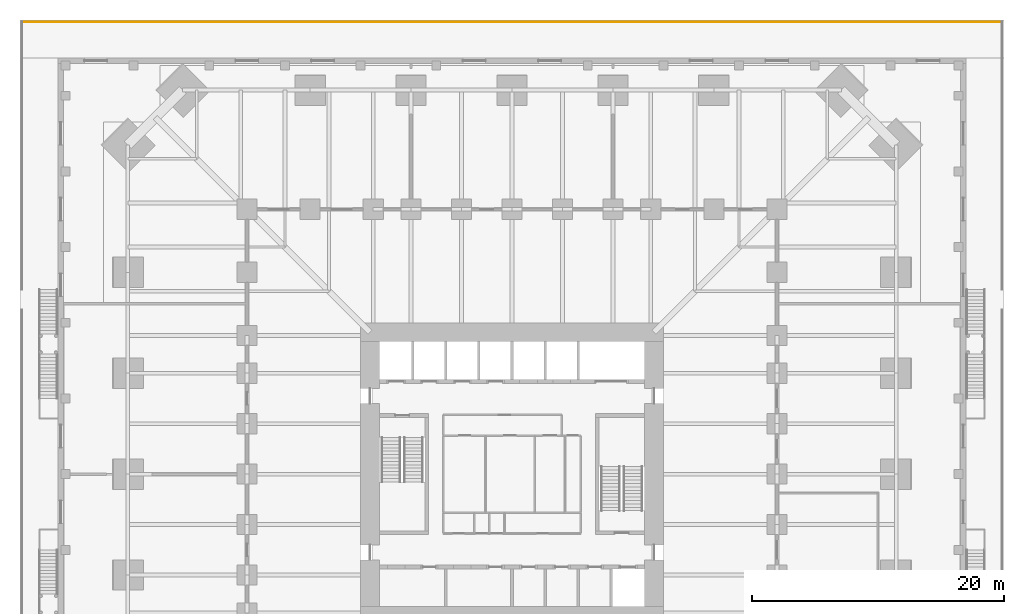
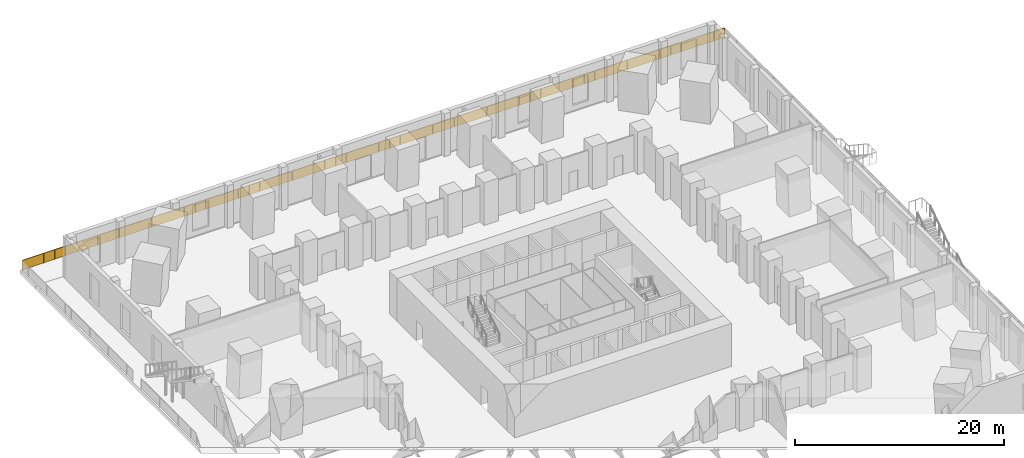
# One storey, part 20 of 20: 1 railing.
"""IFC4 building model written with IfcOpenShell, lengths in metres."""

from ifc_helpers import new_model, si_unit, direction, frame, origin, origin_2d, place, context, subcontext, project, spatial, rectangle, circle, extrude, material, type_object, element, save


model = new_model("IFC4")

# Units and contexts
model_context = context("Model", 3, precision=1e-05, world=origin(), true_north=direction((0.0, 1.0)))
body_context = subcontext(model_context, "Body", "Model", "MODEL_VIEW")
ifc_project = project(units=[si_unit("LENGTHUNIT", "METRE"), si_unit("AREAUNIT", "SQUARE_METRE"), si_unit("VOLUMEUNIT", "CUBIC_METRE"), si_unit("PLANEANGLEUNIT", "RADIAN"), si_unit("MASSUNIT", "GRAM", prefix="KILO")], contexts=[model_context])

# Site, building, storey
site_placement = place(None, origin())
site = spatial("IfcSite", under=ifc_project, at=site_placement, CompositionType="ELEMENT")
building_placement = place(site_placement, origin())
building = spatial("IfcBuilding", under=site, at=building_placement, Name="Peilmerk Tower", CompositionType="ELEMENT")
storey_placement = place(building_placement, frame((0.0, 0.0, 11.0)))
storey = spatial("IfcBuildingStorey", under=building, at=storey_placement, Name="L02", CompositionType="ELEMENT", Elevation=11.0)

# Railing
ifc_material = material(Name="Galvanised steel posts and top rail, laminated glass infill 16", Category="steel")
railing_type = type_object("IfcRailingType", Name="GR2 1200 terrace balustrade", PredefinedType="BALUSTRADE", material=ifc_material)
railing_placement = place(storey_placement, frame((38.85009765625, 35.85009765625, 0.0)))
element("IfcRailing", 1, at=railing_placement, inside=storey, type_object=railing_type, Name="Terrace balustrade L02", PredefinedType="BALUSTRADE", context=body_context, shape_type="SweptSolid", body=[
    extrude(circle(Radius=0.02392578125, at=origin_2d()), frame((0.0, 0.0, 1.17578125), z_axis=(-1.0, 0.0, 0.0), x_axis=(0.0, -1.0, 0.0)), (0.0, 0.0, 1.0), 77.7001953125),
    extrude(circle(Radius=0.02099609375, at=origin_2d()), origin(), (0.0, 0.0, 1.0), 1.15185546875),
    extrude(circle(Radius=0.02099609375, at=origin_2d()), frame((-1.1953125, 0.0, 0.0)), (0.0, 0.0, 1.0), 1.15185546875),
    extrude(circle(Radius=0.02099609375, at=origin_2d()), frame((-2.390869140625, 0.0, 0.0)), (0.0, 0.0, 1.0), 1.15185546875),
    extrude(circle(Radius=0.02099609375, at=origin_2d()), frame((-3.586181640625, 0.0, 0.0)), (0.0, 0.0, 1.0), 1.15185546875),
    extrude(circle(Radius=0.02099609375, at=origin_2d()), frame((-4.781494140625, 0.0, 0.0)), (0.0, 0.0, 1.0), 1.15185546875),
    extrude(circle(Radius=0.02099609375, at=origin_2d()), frame((-5.97705078125, 0.0, 0.0)), (0.0, 0.0, 1.0), 1.15185546875),
    extrude(circle(Radius=0.02099609375, at=origin_2d()), frame((-7.17236328125, 0.0, 0.0)), (0.0, 0.0, 1.0), 1.15185546875),
    extrude(circle(Radius=0.02099609375, at=origin_2d()), frame((-8.36767578125, 0.0, 0.0)), (0.0, 0.0, 1.0), 1.15185546875),
    extrude(circle(Radius=0.02099609375, at=origin_2d()), frame((-9.56298828125, 0.0, 0.0)), (0.0, 0.0, 1.0), 1.15185546875),
    extrude(circle(Radius=0.02099609375, at=origin_2d()), frame((-10.758544921875, 0.0, 0.0)), (0.0, 0.0, 1.0), 1.15185546875),
    extrude(circle(Radius=0.02099609375, at=origin_2d()), frame((-11.953857421875, 0.0, 0.0)), (0.0, 0.0, 1.0), 1.15185546875),
    extrude(circle(Radius=0.02099609375, at=origin_2d()), frame((-13.149169921875, 0.0, 0.0)), (0.0, 0.0, 1.0), 1.15185546875),
    extrude(circle(Radius=0.02099609375, at=origin_2d()), frame((-14.3447265625, 0.0, 0.0)), (0.0, 0.0, 1.0), 1.15185546875),
    extrude(circle(Radius=0.02099609375, at=origin_2d()), frame((-15.5400390625, 0.0, 0.0)), (0.0, 0.0, 1.0), 1.15185546875),
    extrude(circle(Radius=0.02099609375, at=origin_2d()), frame((-16.7353515625, 0.0, 0.0)), (0.0, 0.0, 1.0), 1.15185546875),
    extrude(circle(Radius=0.02099609375, at=origin_2d()), frame((-17.930908203125, 0.0, 0.0)), (0.0, 0.0, 1.0), 1.15185546875),
    extrude(circle(Radius=0.02099609375, at=origin_2d()), frame((-19.126220703125, 0.0, 0.0)), (0.0, 0.0, 1.0), 1.15185546875),
    extrude(circle(Radius=0.02099609375, at=origin_2d()), frame((-20.321533203125, 0.0, 0.0)), (0.0, 0.0, 1.0), 1.15185546875),
    extrude(circle(Radius=0.02099609375, at=origin_2d()), frame((-21.51708984375, 0.0, 0.0)), (0.0, 0.0, 1.0), 1.15185546875),
    extrude(circle(Radius=0.02099609375, at=origin_2d()), frame((-22.71240234375, 0.0, 0.0)), (0.0, 0.0, 1.0), 1.15185546875),
    extrude(circle(Radius=0.02099609375, at=origin_2d()), frame((-23.90771484375, 0.0, 0.0)), (0.0, 0.0, 1.0), 1.15185546875),
    extrude(circle(Radius=0.02099609375, at=origin_2d()), frame((-25.10302734375, 0.0, 0.0)), (0.0, 0.0, 1.0), 1.15185546875),
    extrude(circle(Radius=0.02099609375, at=origin_2d()), frame((-26.298583984375, 0.0, 0.0)), (0.0, 0.0, 1.0), 1.15185546875),
    extrude(circle(Radius=0.02099609375, at=origin_2d()), frame((-27.493896484375, 0.0, 0.0)), (0.0, 0.0, 1.0), 1.15185546875),
    extrude(circle(Radius=0.02099609375, at=origin_2d()), frame((-28.689208984375, 0.0, 0.0)), (0.0, 0.0, 1.0), 1.15185546875),
    extrude(circle(Radius=0.02099609375, at=origin_2d()), frame((-29.884765625, 0.0, 0.0)), (0.0, 0.0, 1.0), 1.15185546875),
    extrude(circle(Radius=0.02099609375, at=origin_2d()), frame((-31.080078125, 0.0, 0.0)), (0.0, 0.0, 1.0), 1.15185546875),
    extrude(circle(Radius=0.02099609375, at=origin_2d()), frame((-32.275390625, 0.0, 0.0)), (0.0, 0.0, 1.0), 1.15185546875),
    extrude(circle(Radius=0.02099609375, at=origin_2d()), frame((-33.470947265625, 0.0, 0.0)), (0.0, 0.0, 1.0), 1.15185546875),
    extrude(circle(Radius=0.02099609375, at=origin_2d()), frame((-34.666259765625, 0.0, 0.0)), (0.0, 0.0, 1.0), 1.15185546875),
    extrude(circle(Radius=0.02099609375, at=origin_2d()), frame((-35.861572265625, 0.0, 0.0)), (0.0, 0.0, 1.0), 1.15185546875),
    extrude(circle(Radius=0.02099609375, at=origin_2d()), frame((-37.05712890625, 0.0, 0.0)), (0.0, 0.0, 1.0), 1.15185546875),
    extrude(circle(Radius=0.02099609375, at=origin_2d()), frame((-38.25244140625, 0.0, 0.0)), (0.0, 0.0, 1.0), 1.15185546875),
    extrude(circle(Radius=0.02099609375, at=origin_2d()), frame((-39.44775390625, 0.0, 0.0)), (0.0, 0.0, 1.0), 1.15185546875),
    extrude(circle(Radius=0.02099609375, at=origin_2d()), frame((-40.64306640625, 0.0, 0.0)), (0.0, 0.0, 1.0), 1.15185546875),
    extrude(circle(Radius=0.02099609375, at=origin_2d()), frame((-41.838623046875, 0.0, 0.0)), (0.0, 0.0, 1.0), 1.15185546875),
    extrude(circle(Radius=0.02099609375, at=origin_2d()), frame((-43.033935546875, 0.0, 0.0)), (0.0, 0.0, 1.0), 1.15185546875),
    extrude(circle(Radius=0.02099609375, at=origin_2d()), frame((-44.229248046875, 0.0, 0.0)), (0.0, 0.0, 1.0), 1.15185546875),
    extrude(circle(Radius=0.02099609375, at=origin_2d()), frame((-45.4248046875, 0.0, 0.0)), (0.0, 0.0, 1.0), 1.15185546875),
    extrude(circle(Radius=0.02099609375, at=origin_2d()), frame((-46.6201171875, 0.0, 0.0)), (0.0, 0.0, 1.0), 1.15185546875),
    extrude(circle(Radius=0.02099609375, at=origin_2d()), frame((-47.8154296875, 0.0, 0.0)), (0.0, 0.0, 1.0), 1.15185546875),
    extrude(circle(Radius=0.02099609375, at=origin_2d()), frame((-49.010986328125, 0.0, 0.0)), (0.0, 0.0, 1.0), 1.15185546875),
    extrude(circle(Radius=0.02099609375, at=origin_2d()), frame((-50.206298828125, 0.0, 0.0)), (0.0, 0.0, 1.0), 1.15185546875),
    extrude(circle(Radius=0.02099609375, at=origin_2d()), frame((-51.401611328125, 0.0, 0.0)), (0.0, 0.0, 1.0), 1.15185546875),
    extrude(circle(Radius=0.02099609375, at=origin_2d()), frame((-52.59716796875, 0.0, 0.0)), (0.0, 0.0, 1.0), 1.15185546875),
    extrude(circle(Radius=0.02099609375, at=origin_2d()), frame((-53.79248046875, 0.0, 0.0)), (0.0, 0.0, 1.0), 1.15185546875),
    extrude(circle(Radius=0.02099609375, at=origin_2d()), frame((-54.98779296875, 0.0, 0.0)), (0.0, 0.0, 1.0), 1.15185546875),
    extrude(circle(Radius=0.02099609375, at=origin_2d()), frame((-56.18310546875, 0.0, 0.0)), (0.0, 0.0, 1.0), 1.15185546875),
    extrude(circle(Radius=0.02099609375, at=origin_2d()), frame((-57.378662109375, 0.0, 0.0)), (0.0, 0.0, 1.0), 1.15185546875),
    extrude(circle(Radius=0.02099609375, at=origin_2d()), frame((-58.573974609375, 0.0, 0.0)), (0.0, 0.0, 1.0), 1.15185546875),
    extrude(circle(Radius=0.02099609375, at=origin_2d()), frame((-59.769287109375, 0.0, 0.0)), (0.0, 0.0, 1.0), 1.15185546875),
    extrude(circle(Radius=0.02099609375, at=origin_2d()), frame((-60.96484375, 0.0, 0.0)), (0.0, 0.0, 1.0), 1.15185546875),
    extrude(circle(Radius=0.02099609375, at=origin_2d()), frame((-62.16015625, 0.0, 0.0)), (0.0, 0.0, 1.0), 1.15185546875),
    extrude(circle(Radius=0.02099609375, at=origin_2d()), frame((-63.35546875, 0.0, 0.0)), (0.0, 0.0, 1.0), 1.15185546875),
    extrude(circle(Radius=0.02099609375, at=origin_2d()), frame((-64.551025390625, 0.0, 0.0)), (0.0, 0.0, 1.0), 1.15185546875),
    extrude(circle(Radius=0.02099609375, at=origin_2d()), frame((-65.746337890625, 0.0, 0.0)), (0.0, 0.0, 1.0), 1.15185546875),
    extrude(circle(Radius=0.02099609375, at=origin_2d()), frame((-66.941650390625, 0.0, 0.0)), (0.0, 0.0, 1.0), 1.15185546875),
    extrude(circle(Radius=0.02099609375, at=origin_2d()), frame((-68.13720703125, 0.0, 0.0)), (0.0, 0.0, 1.0), 1.15185546875),
    extrude(circle(Radius=0.02099609375, at=origin_2d()), frame((-69.33251953125, 0.0, 0.0)), (0.0, 0.0, 1.0), 1.15185546875),
    extrude(circle(Radius=0.02099609375, at=origin_2d()), frame((-70.52783203125, 0.0, 0.0)), (0.0, 0.0, 1.0), 1.15185546875),
    extrude(circle(Radius=0.02099609375, at=origin_2d()), frame((-71.72314453125, 0.0, 0.0)), (0.0, 0.0, 1.0), 1.15185546875),
    extrude(circle(Radius=0.02099609375, at=origin_2d()), frame((-72.918701171875, 0.0, 0.0)), (0.0, 0.0, 1.0), 1.15185546875),
    extrude(circle(Radius=0.02099609375, at=origin_2d()), frame((-74.114013671875, 0.0, 0.0)), (0.0, 0.0, 1.0), 1.15185546875),
    extrude(circle(Radius=0.02099609375, at=origin_2d()), frame((-75.309326171875, 0.0, 0.0)), (0.0, 0.0, 1.0), 1.15185546875),
    extrude(circle(Radius=0.02099609375, at=origin_2d()), frame((-76.5048828125, 0.0, 0.0)), (0.0, 0.0, 1.0), 1.15185546875),
    extrude(circle(Radius=0.02099609375, at=origin_2d()), frame((-77.7001953125, 0.0, 0.0)), (0.0, 0.0, 1.0), 1.15185546875),
    extrude(rectangle(XDim=1.1533203125, YDim=0.01611328125, at=origin_2d()), frame((-0.59765625, 0.0, 0.050048828125), z_axis=(0.0, 0.0, 1.0), x_axis=(-1.0, 0.0, 0.0)), (0.0, 0.0, 1.0), 1.101806640625),
    extrude(rectangle(XDim=1.1533203125, YDim=0.01611328125, at=origin_2d()), frame((-1.79296875, 0.0, 0.050048828125), z_axis=(0.0, 0.0, 1.0), x_axis=(-1.0, 0.0, 0.0)), (0.0, 0.0, 1.0), 1.101806640625),
    extrude(rectangle(XDim=1.1533203125, YDim=0.01611328125, at=origin_2d()), frame((-2.988525390625, 0.0, 0.050048828125), z_axis=(0.0, 0.0, 1.0), x_axis=(-1.0, 0.0, 0.0)), (0.0, 0.0, 1.0), 1.101806640625),
    extrude(rectangle(XDim=1.1533203125, YDim=0.01611328125, at=origin_2d()), frame((-4.183837890625, 0.0, 0.050048828125), z_axis=(0.0, 0.0, 1.0), x_axis=(-1.0, 0.0, 0.0)), (0.0, 0.0, 1.0), 1.101806640625),
    extrude(rectangle(XDim=1.1533203125, YDim=0.01611328125, at=origin_2d()), frame((-5.379150390625, 0.0, 0.050048828125), z_axis=(0.0, 0.0, 1.0), x_axis=(-1.0, 0.0, 0.0)), (0.0, 0.0, 1.0), 1.101806640625),
    extrude(rectangle(XDim=1.1533203125, YDim=0.01611328125, at=origin_2d()), frame((-6.57470703125, 0.0, 0.050048828125), z_axis=(0.0, 0.0, 1.0), x_axis=(-1.0, 0.0, 0.0)), (0.0, 0.0, 1.0), 1.101806640625),
    extrude(rectangle(XDim=1.1533203125, YDim=0.01611328125, at=origin_2d()), frame((-7.77001953125, 0.0, 0.050048828125), z_axis=(0.0, 0.0, 1.0), x_axis=(-1.0, 0.0, 0.0)), (0.0, 0.0, 1.0), 1.101806640625),
    extrude(rectangle(XDim=1.1533203125, YDim=0.01611328125, at=origin_2d()), frame((-8.96533203125, 0.0, 0.050048828125), z_axis=(0.0, 0.0, 1.0), x_axis=(-1.0, 0.0, 0.0)), (0.0, 0.0, 1.0), 1.101806640625),
    extrude(rectangle(XDim=1.1533203125, YDim=0.01611328125, at=origin_2d()), frame((-10.160888671875, 0.0, 0.050048828125), z_axis=(0.0, 0.0, 1.0), x_axis=(-1.0, 0.0, 0.0)), (0.0, 0.0, 1.0), 1.101806640625),
    extrude(rectangle(XDim=1.1533203125, YDim=0.01611328125, at=origin_2d()), frame((-11.356201171875, 0.0, 0.050048828125), z_axis=(0.0, 0.0, 1.0), x_axis=(-1.0, 0.0, 0.0)), (0.0, 0.0, 1.0), 1.101806640625),
    extrude(rectangle(XDim=1.1533203125, YDim=0.01611328125, at=origin_2d()), frame((-12.551513671875, 0.0, 0.050048828125), z_axis=(0.0, 0.0, 1.0), x_axis=(-1.0, 0.0, 0.0)), (0.0, 0.0, 1.0), 1.101806640625),
    extrude(rectangle(XDim=1.1533203125, YDim=0.01611328125, at=origin_2d()), frame((-13.7470703125, 0.0, 0.050048828125), z_axis=(0.0, 0.0, 1.0), x_axis=(-1.0, 0.0, 0.0)), (0.0, 0.0, 1.0), 1.101806640625),
    extrude(rectangle(XDim=1.1533203125, YDim=0.01611328125, at=origin_2d()), frame((-14.9423828125, 0.0, 0.050048828125), z_axis=(0.0, 0.0, 1.0), x_axis=(-1.0, 0.0, 0.0)), (0.0, 0.0, 1.0), 1.101806640625),
    extrude(rectangle(XDim=1.1533203125, YDim=0.01611328125, at=origin_2d()), frame((-16.1376953125, 0.0, 0.050048828125), z_axis=(0.0, 0.0, 1.0), x_axis=(-1.0, 0.0, 0.0)), (0.0, 0.0, 1.0), 1.101806640625),
    extrude(rectangle(XDim=1.1533203125, YDim=0.01611328125, at=origin_2d()), frame((-17.3330078125, 0.0, 0.050048828125), z_axis=(0.0, 0.0, 1.0), x_axis=(-1.0, 0.0, 0.0)), (0.0, 0.0, 1.0), 1.101806640625),
    extrude(rectangle(XDim=1.1533203125, YDim=0.01611328125, at=origin_2d()), frame((-18.528564453125, 0.0, 0.050048828125), z_axis=(0.0, 0.0, 1.0), x_axis=(-1.0, 0.0, 0.0)), (0.0, 0.0, 1.0), 1.101806640625),
    extrude(rectangle(XDim=1.1533203125, YDim=0.01611328125, at=origin_2d()), frame((-19.723876953125, 0.0, 0.050048828125), z_axis=(0.0, 0.0, 1.0), x_axis=(-1.0, 0.0, 0.0)), (0.0, 0.0, 1.0), 1.101806640625),
    extrude(rectangle(XDim=1.1533203125, YDim=0.01611328125, at=origin_2d()), frame((-20.919189453125, 0.0, 0.050048828125), z_axis=(0.0, 0.0, 1.0), x_axis=(-1.0, 0.0, 0.0)), (0.0, 0.0, 1.0), 1.101806640625),
    extrude(rectangle(XDim=1.1533203125, YDim=0.01611328125, at=origin_2d()), frame((-22.11474609375, 0.0, 0.050048828125), z_axis=(0.0, 0.0, 1.0), x_axis=(-1.0, 0.0, 0.0)), (0.0, 0.0, 1.0), 1.101806640625),
    extrude(rectangle(XDim=1.1533203125, YDim=0.01611328125, at=origin_2d()), frame((-23.31005859375, 0.0, 0.050048828125), z_axis=(0.0, 0.0, 1.0), x_axis=(-1.0, 0.0, 0.0)), (0.0, 0.0, 1.0), 1.101806640625),
    extrude(rectangle(XDim=1.1533203125, YDim=0.01611328125, at=origin_2d()), frame((-24.50537109375, 0.0, 0.050048828125), z_axis=(0.0, 0.0, 1.0), x_axis=(-1.0, 0.0, 0.0)), (0.0, 0.0, 1.0), 1.101806640625),
    extrude(rectangle(XDim=1.1533203125, YDim=0.01611328125, at=origin_2d()), frame((-25.700927734375, 0.0, 0.050048828125), z_axis=(0.0, 0.0, 1.0), x_axis=(-1.0, 0.0, 0.0)), (0.0, 0.0, 1.0), 1.101806640625),
    extrude(rectangle(XDim=1.1533203125, YDim=0.01611328125, at=origin_2d()), frame((-26.896240234375, 0.0, 0.050048828125), z_axis=(0.0, 0.0, 1.0), x_axis=(-1.0, 0.0, 0.0)), (0.0, 0.0, 1.0), 1.101806640625),
    extrude(rectangle(XDim=1.1533203125, YDim=0.01611328125, at=origin_2d()), frame((-28.091552734375, 0.0, 0.050048828125), z_axis=(0.0, 0.0, 1.0), x_axis=(-1.0, 0.0, 0.0)), (0.0, 0.0, 1.0), 1.101806640625),
    extrude(rectangle(XDim=1.1533203125, YDim=0.01611328125, at=origin_2d()), frame((-29.287109375, 0.0, 0.050048828125), z_axis=(0.0, 0.0, 1.0), x_axis=(-1.0, 0.0, 0.0)), (0.0, 0.0, 1.0), 1.101806640625),
    extrude(rectangle(XDim=1.1533203125, YDim=0.01611328125, at=origin_2d()), frame((-30.482421875, 0.0, 0.050048828125), z_axis=(0.0, 0.0, 1.0), x_axis=(-1.0, 0.0, 0.0)), (0.0, 0.0, 1.0), 1.101806640625),
    extrude(rectangle(XDim=1.1533203125, YDim=0.01611328125, at=origin_2d()), frame((-31.677734375, 0.0, 0.050048828125), z_axis=(0.0, 0.0, 1.0), x_axis=(-1.0, 0.0, 0.0)), (0.0, 0.0, 1.0), 1.101806640625),
    extrude(rectangle(XDim=1.1533203125, YDim=0.01611328125, at=origin_2d()), frame((-32.873046875, 0.0, 0.050048828125), z_axis=(0.0, 0.0, 1.0), x_axis=(-1.0, 0.0, 0.0)), (0.0, 0.0, 1.0), 1.101806640625),
    extrude(rectangle(XDim=1.1533203125, YDim=0.01611328125, at=origin_2d()), frame((-34.068603515625, 0.0, 0.050048828125), z_axis=(0.0, 0.0, 1.0), x_axis=(-1.0, 0.0, 0.0)), (0.0, 0.0, 1.0), 1.101806640625),
    extrude(rectangle(XDim=1.1533203125, YDim=0.01611328125, at=origin_2d()), frame((-35.263916015625, 0.0, 0.050048828125), z_axis=(0.0, 0.0, 1.0), x_axis=(-1.0, 0.0, 0.0)), (0.0, 0.0, 1.0), 1.101806640625),
    extrude(rectangle(XDim=1.1533203125, YDim=0.01611328125, at=origin_2d()), frame((-36.459228515625, 0.0, 0.050048828125), z_axis=(0.0, 0.0, 1.0), x_axis=(-1.0, 0.0, 0.0)), (0.0, 0.0, 1.0), 1.101806640625),
    extrude(rectangle(XDim=1.1533203125, YDim=0.01611328125, at=origin_2d()), frame((-37.65478515625, 0.0, 0.050048828125), z_axis=(0.0, 0.0, 1.0), x_axis=(-1.0, 0.0, 0.0)), (0.0, 0.0, 1.0), 1.101806640625),
    extrude(rectangle(XDim=1.1533203125, YDim=0.01611328125, at=origin_2d()), frame((-38.85009765625, 0.0, 0.050048828125), z_axis=(0.0, 0.0, 1.0), x_axis=(-1.0, 0.0, 0.0)), (0.0, 0.0, 1.0), 1.101806640625),
    extrude(rectangle(XDim=1.1533203125, YDim=0.01611328125, at=origin_2d()), frame((-40.04541015625, 0.0, 0.050048828125), z_axis=(0.0, 0.0, 1.0), x_axis=(-1.0, 0.0, 0.0)), (0.0, 0.0, 1.0), 1.101806640625),
    extrude(rectangle(XDim=1.1533203125, YDim=0.01611328125, at=origin_2d()), frame((-41.240966796875, 0.0, 0.050048828125), z_axis=(0.0, 0.0, 1.0), x_axis=(-1.0, 0.0, 0.0)), (0.0, 0.0, 1.0), 1.101806640625),
    extrude(rectangle(XDim=1.1533203125, YDim=0.01611328125, at=origin_2d()), frame((-42.436279296875, 0.0, 0.050048828125), z_axis=(0.0, 0.0, 1.0), x_axis=(-1.0, 0.0, 0.0)), (0.0, 0.0, 1.0), 1.101806640625),
    extrude(rectangle(XDim=1.1533203125, YDim=0.01611328125, at=origin_2d()), frame((-43.631591796875, 0.0, 0.050048828125), z_axis=(0.0, 0.0, 1.0), x_axis=(-1.0, 0.0, 0.0)), (0.0, 0.0, 1.0), 1.101806640625),
    extrude(rectangle(XDim=1.1533203125, YDim=0.01611328125, at=origin_2d()), frame((-44.8271484375, 0.0, 0.050048828125), z_axis=(0.0, 0.0, 1.0), x_axis=(-1.0, 0.0, 0.0)), (0.0, 0.0, 1.0), 1.101806640625),
    extrude(rectangle(XDim=1.1533203125, YDim=0.01611328125, at=origin_2d()), frame((-46.0224609375, 0.0, 0.050048828125), z_axis=(0.0, 0.0, 1.0), x_axis=(-1.0, 0.0, 0.0)), (0.0, 0.0, 1.0), 1.101806640625),
    extrude(rectangle(XDim=1.1533203125, YDim=0.01611328125, at=origin_2d()), frame((-47.2177734375, 0.0, 0.050048828125), z_axis=(0.0, 0.0, 1.0), x_axis=(-1.0, 0.0, 0.0)), (0.0, 0.0, 1.0), 1.101806640625),
    extrude(rectangle(XDim=1.1533203125, YDim=0.01611328125, at=origin_2d()), frame((-48.4130859375, 0.0, 0.050048828125), z_axis=(0.0, 0.0, 1.0), x_axis=(-1.0, 0.0, 0.0)), (0.0, 0.0, 1.0), 1.101806640625),
    extrude(rectangle(XDim=1.1533203125, YDim=0.01611328125, at=origin_2d()), frame((-49.608642578125, 0.0, 0.050048828125), z_axis=(0.0, 0.0, 1.0), x_axis=(-1.0, 0.0, 0.0)), (0.0, 0.0, 1.0), 1.101806640625),
    extrude(rectangle(XDim=1.1533203125, YDim=0.01611328125, at=origin_2d()), frame((-50.803955078125, 0.0, 0.050048828125), z_axis=(0.0, 0.0, 1.0), x_axis=(-1.0, 0.0, 0.0)), (0.0, 0.0, 1.0), 1.101806640625),
    extrude(rectangle(XDim=1.1533203125, YDim=0.01611328125, at=origin_2d()), frame((-51.999267578125, 0.0, 0.050048828125), z_axis=(0.0, 0.0, 1.0), x_axis=(-1.0, 0.0, 0.0)), (0.0, 0.0, 1.0), 1.101806640625),
    extrude(rectangle(XDim=1.1533203125, YDim=0.01611328125, at=origin_2d()), frame((-53.19482421875, 0.0, 0.050048828125), z_axis=(0.0, 0.0, 1.0), x_axis=(-1.0, 0.0, 0.0)), (0.0, 0.0, 1.0), 1.101806640625),
    extrude(rectangle(XDim=1.1533203125, YDim=0.01611328125, at=origin_2d()), frame((-54.39013671875, 0.0, 0.050048828125), z_axis=(0.0, 0.0, 1.0), x_axis=(-1.0, 0.0, 0.0)), (0.0, 0.0, 1.0), 1.101806640625),
    extrude(rectangle(XDim=1.1533203125, YDim=0.01611328125, at=origin_2d()), frame((-55.58544921875, 0.0, 0.050048828125), z_axis=(0.0, 0.0, 1.0), x_axis=(-1.0, 0.0, 0.0)), (0.0, 0.0, 1.0), 1.101806640625),
    extrude(rectangle(XDim=1.1533203125, YDim=0.01611328125, at=origin_2d()), frame((-56.781005859375, 0.0, 0.050048828125), z_axis=(0.0, 0.0, 1.0), x_axis=(-1.0, 0.0, 0.0)), (0.0, 0.0, 1.0), 1.101806640625),
    extrude(rectangle(XDim=1.1533203125, YDim=0.01611328125, at=origin_2d()), frame((-57.976318359375, 0.0, 0.050048828125), z_axis=(0.0, 0.0, 1.0), x_axis=(-1.0, 0.0, 0.0)), (0.0, 0.0, 1.0), 1.101806640625),
    extrude(rectangle(XDim=1.1533203125, YDim=0.01611328125, at=origin_2d()), frame((-59.171630859375, 0.0, 0.050048828125), z_axis=(0.0, 0.0, 1.0), x_axis=(-1.0, 0.0, 0.0)), (0.0, 0.0, 1.0), 1.101806640625),
    extrude(rectangle(XDim=1.1533203125, YDim=0.01611328125, at=origin_2d()), frame((-60.3671875, 0.0, 0.050048828125), z_axis=(0.0, 0.0, 1.0), x_axis=(-1.0, 0.0, 0.0)), (0.0, 0.0, 1.0), 1.101806640625),
    extrude(rectangle(XDim=1.1533203125, YDim=0.01611328125, at=origin_2d()), frame((-61.5625, 0.0, 0.050048828125), z_axis=(0.0, 0.0, 1.0), x_axis=(-1.0, 0.0, 0.0)), (0.0, 0.0, 1.0), 1.101806640625),
    extrude(rectangle(XDim=1.1533203125, YDim=0.01611328125, at=origin_2d()), frame((-62.7578125, 0.0, 0.050048828125), z_axis=(0.0, 0.0, 1.0), x_axis=(-1.0, 0.0, 0.0)), (0.0, 0.0, 1.0), 1.101806640625),
    extrude(rectangle(XDim=1.1533203125, YDim=0.01611328125, at=origin_2d()), frame((-63.953125, 0.0, 0.050048828125), z_axis=(0.0, 0.0, 1.0), x_axis=(-1.0, 0.0, 0.0)), (0.0, 0.0, 1.0), 1.101806640625),
    extrude(rectangle(XDim=1.1533203125, YDim=0.01611328125, at=origin_2d()), frame((-65.148681640625, 0.0, 0.050048828125), z_axis=(0.0, 0.0, 1.0), x_axis=(-1.0, 0.0, 0.0)), (0.0, 0.0, 1.0), 1.101806640625),
    extrude(rectangle(XDim=1.1533203125, YDim=0.01611328125, at=origin_2d()), frame((-66.343994140625, 0.0, 0.050048828125), z_axis=(0.0, 0.0, 1.0), x_axis=(-1.0, 0.0, 0.0)), (0.0, 0.0, 1.0), 1.101806640625),
    extrude(rectangle(XDim=1.1533203125, YDim=0.01611328125, at=origin_2d()), frame((-67.539306640625, 0.0, 0.050048828125), z_axis=(0.0, 0.0, 1.0), x_axis=(-1.0, 0.0, 0.0)), (0.0, 0.0, 1.0), 1.101806640625),
    extrude(rectangle(XDim=1.1533203125, YDim=0.01611328125, at=origin_2d()), frame((-68.73486328125, 0.0, 0.050048828125), z_axis=(0.0, 0.0, 1.0), x_axis=(-1.0, 0.0, 0.0)), (0.0, 0.0, 1.0), 1.101806640625),
    extrude(rectangle(XDim=1.1533203125, YDim=0.01611328125, at=origin_2d()), frame((-69.93017578125, 0.0, 0.050048828125), z_axis=(0.0, 0.0, 1.0), x_axis=(-1.0, 0.0, 0.0)), (0.0, 0.0, 1.0), 1.101806640625),
    extrude(rectangle(XDim=1.1533203125, YDim=0.01611328125, at=origin_2d()), frame((-71.12548828125, 0.0, 0.050048828125), z_axis=(0.0, 0.0, 1.0), x_axis=(-1.0, 0.0, 0.0)), (0.0, 0.0, 1.0), 1.101806640625),
    extrude(rectangle(XDim=1.1533203125, YDim=0.01611328125, at=origin_2d()), frame((-72.321044921875, 0.0, 0.050048828125), z_axis=(0.0, 0.0, 1.0), x_axis=(-1.0, 0.0, 0.0)), (0.0, 0.0, 1.0), 1.101806640625),
    extrude(rectangle(XDim=1.1533203125, YDim=0.01611328125, at=origin_2d()), frame((-73.516357421875, 0.0, 0.050048828125), z_axis=(0.0, 0.0, 1.0), x_axis=(-1.0, 0.0, 0.0)), (0.0, 0.0, 1.0), 1.101806640625),
    extrude(rectangle(XDim=1.1533203125, YDim=0.01611328125, at=origin_2d()), frame((-74.711669921875, 0.0, 0.050048828125), z_axis=(0.0, 0.0, 1.0), x_axis=(-1.0, 0.0, 0.0)), (0.0, 0.0, 1.0), 1.101806640625),
    extrude(rectangle(XDim=1.1533203125, YDim=0.01611328125, at=origin_2d()), frame((-75.9072265625, 0.0, 0.050048828125), z_axis=(0.0, 0.0, 1.0), x_axis=(-1.0, 0.0, 0.0)), (0.0, 0.0, 1.0), 1.101806640625),
    extrude(rectangle(XDim=1.1533203125, YDim=0.01611328125, at=origin_2d()), frame((-77.1025390625, 0.0, 0.050048828125), z_axis=(0.0, 0.0, 1.0), x_axis=(-1.0, 0.0, 0.0)), (0.0, 0.0, 1.0), 1.101806640625),
])

save(model, "model.ifc")
